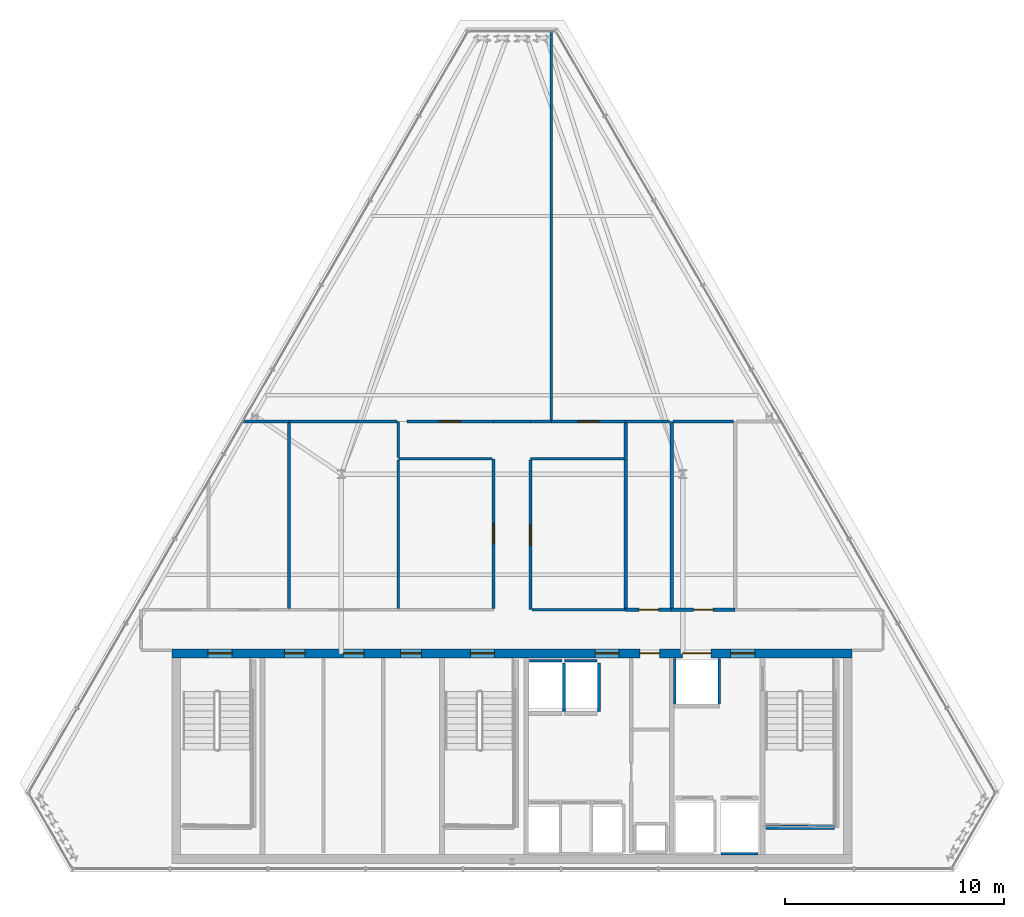
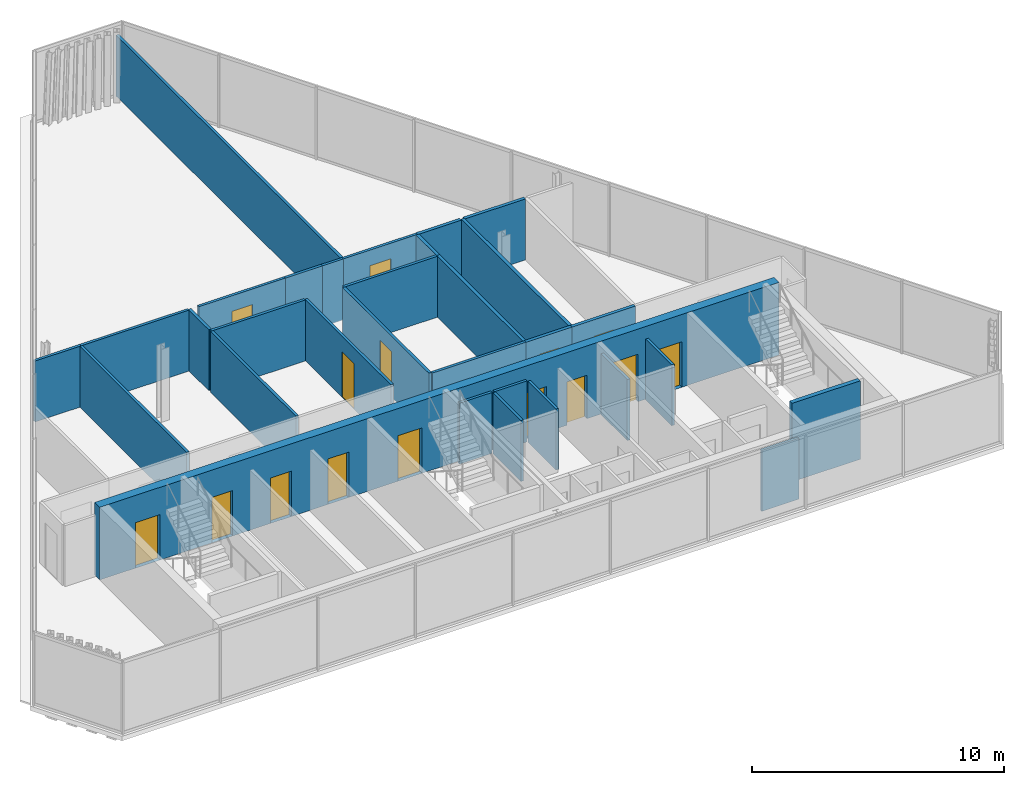
# One storey, part 28 of 32: 31 walls, 15 doors, 15 openings.
"""IFC4 building model written with IfcOpenShell, lengths in metres."""

from ifc_helpers import new_model, si_unit, direction, frame, frame_2d, origin, place, context, subcontext, project, spatial, rectangle, extrude, material, layer, layer_set, type_object, element, fill, save


model = new_model("IFC4")

# Units and contexts
model_context = context("Model", 3, precision=1e-05, world=origin(), true_north=direction((0.0, 1.0)))
body_context = subcontext(model_context, "Body", "Model", "MODEL_VIEW")
ifc_project = project(units=[si_unit("LENGTHUNIT", "METRE"), si_unit("AREAUNIT", "SQUARE_METRE"), si_unit("VOLUMEUNIT", "CUBIC_METRE"), si_unit("PLANEANGLEUNIT", "RADIAN"), si_unit("MASSUNIT", "GRAM", prefix="KILO")], contexts=[model_context])

# Site, building, storey
site_placement = place(None, origin())
site = spatial("IfcSite", under=ifc_project, at=site_placement, CompositionType="ELEMENT")
building_placement = place(site_placement, origin())
building = spatial("IfcBuilding", under=site, at=building_placement, Name="Ndaravel Arena Tower", CompositionType="ELEMENT")
storey_placement = place(building_placement, frame((0.0, 0.0, 294.699951171875)))
storey = spatial("IfcBuildingStorey", under=building, at=storey_placement, Name="L72", CompositionType="ELEMENT", Elevation=294.699951171875)

# Wall, openings, doors
ifc_material_1 = material(Name="Concrete C50/60", Category="concrete")
ifc_layer_1 = layer(ifc_material_1, 0.39990234375)
ifc_layer_set_1 = layer_set([ifc_layer_1], Name="Concrete C50/60")
wall_type_1 = type_object("IfcWallType", Name="WALL-CORE-400", PredefinedType="SOLIDWALL", material=ifc_layer_set_1)
wall_1_placement = place(storey_placement, frame((26.449951171875, 15.0, 0.0), z_axis=(0.0, 0.0, 1.0), x_axis=(1.0, 0.0, 0.0)))
wall_1 = element("IfcWall", 1, at=wall_1_placement, inside=storey, type_object=wall_type_1, Name="L72 Core North Shear Wall", PredefinedType="SOLIDWALL", context=body_context, shape_type="SweptSolid", body=[
    extrude(rectangle(XDim=31.10009765625, YDim=0.39990234375, at=frame_2d((15.550048828125, 0.0))), origin(), (0.0, 0.0, 1.0), 3.52001953125),
])
opening_1_placement = place(wall_1_placement, frame((1.64990234375, 0.0, 0.0)))
opening_1 = element("IfcOpeningElement", 2, at=opening_1_placement, cuts=wall_1, Name="Opening FD-01", PredefinedType="OPENING", context=body_context, shape_type="SweptSolid", body=[
    extrude(rectangle(XDim=1.10009765625, YDim=2.199951171875, at=frame_2d((0.550048828125, 1.10009765625))), frame((0.0, 0.199951171875, 0.0), z_axis=(0.0, -1.0, 0.0), x_axis=(1.0, 0.0, 0.0)), (0.0, 0.0, 1.0), 0.39990234375),
])
opening_2_placement = place(wall_1_placement, frame((13.64990234375, 0.0, 0.0)))
opening_2 = element("IfcOpeningElement", 3, at=opening_2_placement, cuts=wall_1, Name="Opening FD-01", PredefinedType="OPENING", context=body_context, shape_type="SweptSolid", body=[
    extrude(rectangle(XDim=1.10009765625, YDim=2.199951171875, at=frame_2d((0.550048828125, 1.10009765625))), frame((0.0, 0.199951171875, 0.0), z_axis=(0.0, -1.0, 0.0), x_axis=(1.0, 0.0, 0.0)), (0.0, 0.0, 1.0), 0.39990234375),
])
opening_3_placement = place(wall_1_placement, frame((25.550048828125, 0.0, 0.0)))
opening_3 = element("IfcOpeningElement", 4, at=opening_3_placement, cuts=wall_1, Name="Opening FD-01", PredefinedType="OPENING", context=body_context, shape_type="SweptSolid", body=[
    extrude(rectangle(XDim=1.10009765625, YDim=2.199951171875, at=frame_2d((0.550048828125, 1.10009765625))), frame((0.0, 0.199951171875, 0.0), z_axis=(0.0, -1.0, 0.0), x_axis=(1.0, 0.0, 0.0)), (0.0, 0.0, 1.0), 0.39990234375),
])
opening_4_placement = place(wall_1_placement, frame((19.35009765625, 0.0, 0.0)))
opening_4 = element("IfcOpeningElement", 5, at=opening_4_placement, cuts=wall_1, Name="Opening FD-01", PredefinedType="OPENING", context=body_context, shape_type="SweptSolid", body=[
    extrude(rectangle(XDim=1.10009765625, YDim=2.199951171875, at=frame_2d((0.550048828125, 1.10009765625))), frame((0.0, 0.199951171875, 0.0), z_axis=(0.0, -1.0, 0.0), x_axis=(1.0, 0.0, 0.0)), (0.0, 0.0, 1.0), 0.39990234375),
])
opening_5_placement = place(wall_1_placement, frame((21.39990234375, 0.0, 0.0)))
opening_5 = element("IfcOpeningElement", 6, at=opening_5_placement, cuts=wall_1, Name="Opening RD-01", PredefinedType="OPENING", context=body_context, shape_type="SweptSolid", body=[
    extrude(rectangle(XDim=0.89990234375, YDim=2.10009765625, at=frame_2d((0.449951171875, 1.050048828125))), frame((0.0, 0.199951171875, 0.0), z_axis=(0.0, -1.0, 0.0), x_axis=(1.0, 0.0, 0.0)), (0.0, 0.0, 1.0), 0.39990234375),
])
opening_6_placement = place(wall_1_placement, frame((5.139892578125, 0.0, 0.0)))
opening_6 = element("IfcOpeningElement", 7, at=opening_6_placement, cuts=wall_1, Name="Opening FD-03", PredefinedType="OPENING", context=body_context, shape_type="SweptSolid", body=[
    extrude(rectangle(XDim=0.949951171875, YDim=2.199951171875, at=frame_2d((0.47509765625, 1.10009765625))), frame((0.0, 0.199951171875, 0.0), z_axis=(0.0, -1.0, 0.0), x_axis=(1.0, 0.0, 0.0)), (0.0, 0.0, 1.0), 0.39990234375),
])
opening_7_placement = place(wall_1_placement, frame((7.824951171875, 0.0, 0.0)))
opening_7 = element("IfcOpeningElement", 8, at=opening_7_placement, cuts=wall_1, Name="Opening FD-03", PredefinedType="OPENING", context=body_context, shape_type="SweptSolid", body=[
    extrude(rectangle(XDim=0.949951171875, YDim=2.199951171875, at=frame_2d((0.47509765625, 1.10009765625))), frame((0.0, 0.199951171875, 0.0), z_axis=(0.0, -1.0, 0.0), x_axis=(1.0, 0.0, 0.0)), (0.0, 0.0, 1.0), 0.39990234375),
])
opening_8_placement = place(wall_1_placement, frame((10.4599609375, 0.0, 0.0)))
opening_8 = element("IfcOpeningElement", 9, at=opening_8_placement, cuts=wall_1, Name="Opening FD-03", PredefinedType="OPENING", context=body_context, shape_type="SweptSolid", body=[
    extrude(rectangle(XDim=0.949951171875, YDim=2.199951171875, at=frame_2d((0.47509765625, 1.10009765625))), frame((0.0, 0.199951171875, 0.0), z_axis=(0.0, -1.0, 0.0), x_axis=(1.0, 0.0, 0.0)), (0.0, 0.0, 1.0), 0.39990234375),
])
opening_9_placement = place(wall_1_placement, frame((23.35009765625, 0.0, 0.0)))
opening_9 = element("IfcOpeningElement", 10, at=opening_9_placement, cuts=wall_1, Name="Opening LD-02", PredefinedType="OPENING", context=body_context, shape_type="SweptSolid", body=[
    extrude(rectangle(XDim=1.300048828125, YDim=2.300048828125, at=frame_2d((0.64990234375, 1.14990234375))), frame((0.0, 0.199951171875, 0.0), z_axis=(0.0, -1.0, 0.0), x_axis=(1.0, 0.0, 0.0)), (0.0, 0.0, 1.0), 0.39990234375),
])
ifc_material_2 = material(Name="Steel S355", Category="steel")
door_type_1 = type_object("IfcDoorType", Name="DT-01-STAIR-1100", OperationType="SINGLE_SWING_LEFT", PredefinedType="DOOR", material=ifc_material_2)
door_1_placement = place(opening_1_placement, origin())
door_1 = element("IfcDoor", 11, at=door_1_placement, inside=storey, type_object=door_type_1, Name="L72 Exit Stair ST-1 Door", OperationType="SINGLE_SWING_LEFT", OverallHeight=2.199951171875, OverallWidth=1.10009765625, PredefinedType="DOOR", context=body_context, shape_type="SweptSolid", body=[
    extrude(rectangle(XDim=1.10009765625, YDim=2.199951171875, at=frame_2d((0.550048828125, 1.10009765625))), frame((0.0, 0.02490234375, 0.0), z_axis=(0.0, -1.0, 0.0), x_axis=(1.0, 0.0, 0.0)), (0.0, 0.0, 1.0), 0.050048828125),
])
fill(opening_1, door_1)
door_2_placement = place(opening_2_placement, origin())
door_2 = element("IfcDoor", 12, at=door_2_placement, inside=storey, type_object=door_type_1, Name="L72 Exit Stair ST-2 Door", OperationType="SINGLE_SWING_RIGHT", OverallHeight=2.199951171875, OverallWidth=1.10009765625, PredefinedType="DOOR", context=body_context, shape_type="SweptSolid", body=[
    extrude(rectangle(XDim=1.10009765625, YDim=2.199951171875, at=frame_2d((0.550048828125, 1.10009765625))), frame((0.0, 0.02490234375, 0.0), z_axis=(0.0, -1.0, 0.0), x_axis=(1.0, 0.0, 0.0)), (0.0, 0.0, 1.0), 0.050048828125),
])
fill(opening_2, door_2)
door_3_placement = place(opening_3_placement, origin())
door_3 = element("IfcDoor", 13, at=door_3_placement, inside=storey, type_object=door_type_1, Name="L72 Firefighting Lift Lobby Door", OperationType="SINGLE_SWING_RIGHT", OverallHeight=2.199951171875, OverallWidth=1.10009765625, PredefinedType="DOOR", context=body_context, shape_type="SweptSolid", body=[
    extrude(rectangle(XDim=1.10009765625, YDim=2.199951171875, at=frame_2d((0.550048828125, 1.10009765625))), frame((0.0, 0.02490234375, 0.0), z_axis=(0.0, -1.0, 0.0), x_axis=(1.0, 0.0, 0.0)), (0.0, 0.0, 1.0), 0.050048828125),
])
fill(opening_3, door_3)
door_4_placement = place(opening_4_placement, origin())
door_4 = element("IfcDoor", 14, at=door_4_placement, inside=storey, type_object=door_type_1, Name="L72 Express Lift Lobby Entry Door", OperationType="SINGLE_SWING_LEFT", OverallHeight=2.199951171875, OverallWidth=1.10009765625, PredefinedType="DOOR", context=body_context, shape_type="SweptSolid", body=[
    extrude(rectangle(XDim=1.10009765625, YDim=2.199951171875, at=frame_2d((0.550048828125, 1.10009765625))), frame((0.0, 0.02490234375, 0.0), z_axis=(0.0, -1.0, 0.0), x_axis=(1.0, 0.0, 0.0)), (0.0, 0.0, 1.0), 0.050048828125),
])
fill(opening_4, door_4)
ifc_material_3 = material(Name="Steel S355", Category="steel")
door_type_2 = type_object("IfcDoorType", Name="DT-07-SVLIFT-1300", OperationType="DOUBLE_DOOR_SLIDING", PredefinedType="DOOR", material=ifc_material_3)
door_5_placement = place(opening_9_placement, origin())
door_5 = element("IfcDoor", 15, at=door_5_placement, inside=storey, type_object=door_type_2, Name="L72 Lift SVL-1 Sliding Landing Door", OperationType="DOUBLE_DOOR_SLIDING", OverallHeight=2.300048828125, OverallWidth=1.300048828125, PredefinedType="DOOR", context=body_context, shape_type="SweptSolid", body=[
    extrude(rectangle(XDim=1.300048828125, YDim=2.300048828125, at=frame_2d((0.64990234375, 1.14990234375))), frame((0.0, 0.02490234375, 0.0), z_axis=(0.0, -1.0, 0.0), x_axis=(1.0, 0.0, 0.0)), (0.0, 0.0, 1.0), 0.050048828125),
])
fill(opening_9, door_5)
ifc_material_4 = material(Name="Steel S355", Category="steel")
door_type_3 = type_object("IfcDoorType", Name="DT-08-RISER-900", OperationType="SINGLE_SWING_LEFT", PredefinedType="DOOR", material=ifc_material_4)
door_6_placement = place(opening_5_placement, origin())
door_6 = element("IfcDoor", 16, at=door_6_placement, inside=storey, type_object=door_type_3, Name="L72 Core Service Riser North Door", OperationType="SINGLE_SWING_LEFT", OverallHeight=2.10009765625, OverallWidth=0.89990234375, PredefinedType="DOOR", context=body_context, shape_type="SweptSolid", body=[
    extrude(rectangle(XDim=0.89990234375, YDim=2.10009765625, at=frame_2d((0.449951171875, 1.050048828125))), frame((0.0, 0.02490234375, 0.0), z_axis=(0.0, -1.0, 0.0), x_axis=(1.0, 0.0, 0.0)), (0.0, 0.0, 1.0), 0.050048828125),
])
fill(opening_5, door_6)
ifc_material_5 = material(Name="Steel S355", Category="steel")
door_type_4 = type_object("IfcDoorType", Name="DT-11-CORE-950", OperationType="SINGLE_SWING_LEFT", PredefinedType="DOOR", material=ifc_material_5)
door_7_placement = place(opening_6_placement, origin())
door_7 = element("IfcDoor", 17, at=door_7_placement, inside=storey, type_object=door_type_4, Name="L72 High-Zone Reclaimed Core Room 1 Door", OperationType="SINGLE_SWING_LEFT", OverallHeight=2.199951171875, OverallWidth=0.949951171875, PredefinedType="DOOR", context=body_context, shape_type="SweptSolid", body=[
    extrude(rectangle(XDim=0.949951171875, YDim=2.199951171875, at=frame_2d((0.47509765625, 1.10009765625))), frame((0.0, 0.02490234375, 0.0), z_axis=(0.0, -1.0, 0.0), x_axis=(1.0, 0.0, 0.0)), (0.0, 0.0, 1.0), 0.050048828125),
])
fill(opening_6, door_7)
door_8_placement = place(opening_7_placement, origin())
door_8 = element("IfcDoor", 18, at=door_8_placement, inside=storey, type_object=door_type_4, Name="L72 High-Zone Reclaimed Core Room 2 Door", OperationType="SINGLE_SWING_RIGHT", OverallHeight=2.199951171875, OverallWidth=0.949951171875, PredefinedType="DOOR", context=body_context, shape_type="SweptSolid", body=[
    extrude(rectangle(XDim=0.949951171875, YDim=2.199951171875, at=frame_2d((0.47509765625, 1.10009765625))), frame((0.0, 0.02490234375, 0.0), z_axis=(0.0, -1.0, 0.0), x_axis=(1.0, 0.0, 0.0)), (0.0, 0.0, 1.0), 0.050048828125),
])
fill(opening_7, door_8)
door_9_placement = place(opening_8_placement, origin())
door_9 = element("IfcDoor", 19, at=door_9_placement, inside=storey, type_object=door_type_4, Name="L72 High-Zone Reclaimed Core Room 3 Door", OperationType="SINGLE_SWING_LEFT", OverallHeight=2.199951171875, OverallWidth=0.949951171875, PredefinedType="DOOR", context=body_context, shape_type="SweptSolid", body=[
    extrude(rectangle(XDim=0.949951171875, YDim=2.199951171875, at=frame_2d((0.47509765625, 1.10009765625))), frame((0.0, 0.02490234375, 0.0), z_axis=(0.0, -1.0, 0.0), x_axis=(1.0, 0.0, 0.0)), (0.0, 0.0, 1.0), 0.050048828125),
])
fill(opening_8, door_9)

# Wall, opening, door
ifc_material_6 = material(Name="Gypsum", Category="gypsum")
ifc_layer_2 = layer(ifc_material_6, 0.125)
ifc_layer_set_2 = layer_set([ifc_layer_2], Name="Gypsum")
wall_type_2 = type_object("IfcWallType", Name="WALL-PART-125", PredefinedType="PARTITIONING", material=ifc_layer_set_2)
wall_2_placement = place(storey_placement, frame((41.14990234375, 17.06494140625, 0.0), z_axis=(0.0, 0.0, 1.0), x_axis=(0.0, 1.0, 0.0)))
wall_2 = element("IfcWall", 20, at=wall_2_placement, inside=storey, type_object=wall_type_2, Name="L72 Interior Partition 009", PredefinedType="PARTITIONING", context=body_context, shape_type="SweptSolid", body=[
    extrude(rectangle(XDim=6.8349609375, YDim=0.125, at=frame_2d((3.41748046875, 0.0))), origin(), (0.0, 0.0, 1.0), 2.950439453125),
])
opening_10_placement = place(wall_2_placement, frame((2.9423828125, 0.0, 0.0)))
opening_10 = element("IfcOpeningElement", 21, at=opening_10_placement, cuts=wall_2, Name="Opening ID-01", PredefinedType="OPENING", context=body_context, shape_type="SweptSolid", body=[
    extrude(rectangle(XDim=0.949951171875, YDim=2.199951171875, at=frame_2d((0.47509765625, 1.10009765625))), frame((0.0, 0.0625, 0.0), z_axis=(0.0, -1.0, 0.0), x_axis=(1.0, 0.0, 0.0)), (0.0, 0.0, 1.0), 0.125),
])
ifc_material_7 = material(Name="Timber", Category="wood")
door_type_5 = type_object("IfcDoorType", Name="DT-03-OFFICE-950", OperationType="SINGLE_SWING_LEFT", PredefinedType="DOOR", material=ifc_material_7)
door_10_placement = place(opening_10_placement, origin())
door_10 = element("IfcDoor", 22, at=door_10_placement, inside=storey, type_object=door_type_5, Name="L72 Design Bookshop Boutique Door", OperationType="SINGLE_SWING_RIGHT", OverallHeight=2.199951171875, OverallWidth=0.949951171875, PredefinedType="DOOR", context=body_context, shape_type="SweptSolid", body=[
    extrude(rectangle(XDim=0.949951171875, YDim=2.199951171875, at=frame_2d((0.47509765625, 1.10009765625))), frame((0.0, 0.02490234375, 0.0), z_axis=(0.0, -1.0, 0.0), x_axis=(1.0, 0.0, 0.0)), (0.0, 0.0, 1.0), 0.050048828125),
])
fill(opening_10, door_10)

# Walls
wall_3_placement = place(storey_placement, frame((41.0849609375, 23.89990234375, 0.0), z_axis=(0.0, 0.0, 1.0), x_axis=(-1.0, 0.0, 0.0)))
element("IfcWall", 23, at=wall_3_placement, inside=storey, type_object=wall_type_2, Name="L72 Interior Partition 010", PredefinedType="PARTITIONING", context=body_context, shape_type="SweptSolid", body=[
    extrude(rectangle(XDim=4.284912109375, YDim=0.125, at=frame_2d((2.142578125, 0.0))), origin(), (0.0, 0.0, 1.0), 2.950439453125),
])
wall_4_placement = place(storey_placement, frame((36.800048828125, 23.965087890625, 0.0), z_axis=(0.0, 0.0, 1.0), x_axis=(0.0, 1.0, 0.0)))
element("IfcWall", 24, at=wall_4_placement, inside=storey, type_object=wall_type_2, Name="L72 Interior Partition 011", PredefinedType="PARTITIONING", context=body_context, shape_type="SweptSolid", body=[
    extrude(rectangle(XDim=1.635009765625, YDim=0.125, at=frame_2d((0.8173828125, 0.0))), origin(), (0.0, 0.0, 1.0), 2.950439453125),
])

# Wall, opening, door
wall_5_placement = place(storey_placement, frame((37.199951171875, 25.60009765625, 0.0), z_axis=(0.0, 0.0, 1.0), x_axis=(1.0, 0.0, 0.0)))
wall_5 = element("IfcWall", 25, at=wall_5_placement, inside=storey, type_object=wall_type_2, Name="L72 Interior Partition 012", PredefinedType="PARTITIONING", context=body_context, shape_type="SweptSolid", body=[
    extrude(rectangle(XDim=3.949951171875, YDim=0.125, at=frame_2d((1.97509765625, 0.0))), origin(), (0.0, 0.0, 1.0), 2.950439453125),
])
opening_11_placement = place(wall_5_placement, frame((1.5, 0.0, 0.0)))
opening_11 = element("IfcOpeningElement", 26, at=opening_11_placement, cuts=wall_5, Name="Opening ID-01", PredefinedType="OPENING", context=body_context, shape_type="SweptSolid", body=[
    extrude(rectangle(XDim=0.949951171875, YDim=2.199951171875, at=frame_2d((0.47509765625, 1.10009765625))), frame((0.0, 0.0625, 0.0), z_axis=(0.0, -1.0, 0.0), x_axis=(1.0, 0.0, 0.0)), (0.0, 0.0, 1.0), 0.125),
])
door_11_placement = place(opening_11_placement, origin())
door_11 = element("IfcDoor", 27, at=door_11_placement, inside=storey, type_object=door_type_5, Name="L72 Client Concierge Parlour 4 Door", OperationType="SINGLE_SWING_RIGHT", OverallHeight=2.199951171875, OverallWidth=0.949951171875, PredefinedType="DOOR", context=body_context, shape_type="SweptSolid", body=[
    extrude(rectangle(XDim=0.949951171875, YDim=2.199951171875, at=frame_2d((0.47509765625, 1.10009765625))), frame((0.0, 0.02490234375, 0.0), z_axis=(0.0, -1.0, 0.0), x_axis=(1.0, 0.0, 0.0)), (0.0, 0.0, 1.0), 0.050048828125),
])
fill(opening_11, door_11)

# Walls
wall_6_placement = place(storey_placement, frame((41.14990234375, 25.60009765625, 0.0), z_axis=(0.0, 0.0, 1.0), x_axis=(1.0, 0.0, 0.0)))
element("IfcWall", 28, at=wall_6_placement, inside=storey, type_object=wall_type_2, Name="L72 Interior Partition 013", PredefinedType="PARTITIONING", context=body_context, shape_type="SweptSolid", body=[
    extrude(rectangle(XDim=1.7001953125, YDim=0.125, at=frame_2d((0.85009765625, 0.0))), origin(), (0.0, 0.0, 1.0), 2.950439453125),
])
wall_7_placement = place(storey_placement, frame((42.85009765625, 25.60009765625, 0.0), z_axis=(0.0, 0.0, 1.0), x_axis=(1.0, 0.0, 0.0)))
element("IfcWall", 29, at=wall_7_placement, inside=storey, type_object=wall_type_2, Name="L72 Interior Partition 014", PredefinedType="PARTITIONING", context=body_context, shape_type="SweptSolid", body=[
    extrude(rectangle(XDim=0.949951171875, YDim=0.125, at=frame_2d((0.47509765625, 0.0))), origin(), (0.0, 0.0, 1.0), 2.950439453125),
])

# Wall, opening, door
wall_8_placement = place(storey_placement, frame((43.800048828125, 25.60009765625, 0.0), z_axis=(0.0, 0.0, 1.0), x_axis=(1.0, 0.0, 0.0)))
wall_8 = element("IfcWall", 30, at=wall_8_placement, inside=storey, type_object=wall_type_2, Name="L72 Interior Partition 015", PredefinedType="PARTITIONING", context=body_context, shape_type="SweptSolid", body=[
    extrude(rectangle(XDim=3.39990234375, YDim=0.125, at=frame_2d((1.699951171875, 0.0))), origin(), (0.0, 0.0, 1.0), 2.950439453125),
])
opening_12_placement = place(wall_8_placement, frame((1.22509765625, 0.0, 0.0)))
opening_12 = element("IfcOpeningElement", 31, at=opening_12_placement, cuts=wall_8, Name="Opening ID-01", PredefinedType="OPENING", context=body_context, shape_type="SweptSolid", body=[
    extrude(rectangle(XDim=0.949951171875, YDim=2.199951171875, at=frame_2d((0.47509765625, 1.10009765625))), frame((0.0, 0.0625, 0.0), z_axis=(0.0, -1.0, 0.0), x_axis=(1.0, 0.0, 0.0)), (0.0, 0.0, 1.0), 0.125),
])
door_12_placement = place(opening_12_placement, origin())
door_12 = element("IfcDoor", 32, at=door_12_placement, inside=storey, type_object=door_type_5, Name="L72 Design Workshop 4 Door", OperationType="SINGLE_SWING_LEFT", OverallHeight=2.199951171875, OverallWidth=0.949951171875, PredefinedType="DOOR", context=body_context, shape_type="SweptSolid", body=[
    extrude(rectangle(XDim=0.949951171875, YDim=2.199951171875, at=frame_2d((0.47509765625, 1.10009765625))), frame((0.0, 0.02490234375, 0.0), z_axis=(0.0, -1.0, 0.0), x_axis=(1.0, 0.0, 0.0)), (0.0, 0.0, 1.0), 0.050048828125),
])
fill(opening_12, door_12)

# Wall
wall_9_placement = place(storey_placement, frame((47.135009765625, 23.89990234375, 0.0), z_axis=(0.0, 0.0, 1.0), x_axis=(-1.0, 0.0, 0.0)))
element("IfcWall", 33, at=wall_9_placement, inside=storey, type_object=wall_type_2, Name="L72 Interior Partition 017", PredefinedType="PARTITIONING", context=body_context, shape_type="SweptSolid", body=[
    extrude(rectangle(XDim=4.284912109375, YDim=0.125, at=frame_2d((2.142578125, 0.0))), origin(), (0.0, 0.0, 1.0), 2.950439453125),
])

# Wall, opening, door
wall_10_placement = place(storey_placement, frame((42.85009765625, 23.8349609375, 0.0), z_axis=(0.0, 0.0, 1.0), x_axis=(0.0, -1.0, 0.0)))
wall_10 = element("IfcWall", 34, at=wall_10_placement, inside=storey, type_object=wall_type_2, Name="L72 Interior Partition 018", PredefinedType="PARTITIONING", context=body_context, shape_type="SweptSolid", body=[
    extrude(rectangle(XDim=6.8349609375, YDim=0.125, at=frame_2d((3.41748046875, 0.0))), origin(), (0.0, 0.0, 1.0), 2.950439453125),
])
opening_13_placement = place(wall_10_placement, frame((2.9423828125, 0.0, 0.0)))
opening_13 = element("IfcOpeningElement", 35, at=opening_13_placement, cuts=wall_10, Name="Opening ID-01", PredefinedType="OPENING", context=body_context, shape_type="SweptSolid", body=[
    extrude(rectangle(XDim=0.949951171875, YDim=2.199951171875, at=frame_2d((0.47509765625, 1.10009765625))), frame((0.0, 0.0625, 0.0), z_axis=(0.0, -1.0, 0.0), x_axis=(1.0, 0.0, 0.0)), (0.0, 0.0, 1.0), 0.125),
])
door_13_placement = place(opening_13_placement, origin())
door_13 = element("IfcDoor", 36, at=door_13_placement, inside=storey, type_object=door_type_5, Name="L72 Wellness Fitness Gym 2 Door", OperationType="SINGLE_SWING_LEFT", OverallHeight=2.199951171875, OverallWidth=0.949951171875, PredefinedType="DOOR", context=body_context, shape_type="SweptSolid", body=[
    extrude(rectangle(XDim=0.949951171875, YDim=2.199951171875, at=frame_2d((0.47509765625, 1.10009765625))), frame((0.0, 0.02490234375, 0.0), z_axis=(0.0, -1.0, 0.0), x_axis=(1.0, 0.0, 0.0)), (0.0, 0.0, 1.0), 0.050048828125),
])
fill(opening_13, door_13)

# Walls
wall_11_placement = place(storey_placement, frame((42.9150390625, 17.0, 0.0), z_axis=(0.0, 0.0, 1.0), x_axis=(1.0, 0.0, 0.0)))
element("IfcWall", 37, at=wall_11_placement, inside=storey, type_object=wall_type_2, Name="L72 Interior Partition 019", PredefinedType="PARTITIONING", context=body_context, shape_type="SweptSolid", body=[
    extrude(rectangle(XDim=4.284912109375, YDim=0.125, at=frame_2d((2.142578125, 0.0))), origin(), (0.0, 0.0, 1.0), 2.950439453125),
])
wall_12_placement = place(storey_placement, frame((36.800048828125, 17.06494140625, 0.0), z_axis=(0.0, 0.0, 1.0), x_axis=(0.0, 1.0, 0.0)))
element("IfcWall", 38, at=wall_12_placement, inside=storey, type_object=wall_type_2, Name="L72 Interior Partition 024", PredefinedType="PARTITIONING", context=body_context, shape_type="SweptSolid", body=[
    extrude(rectangle(XDim=6.77001953125, YDim=0.125, at=frame_2d((3.385009765625, 0.0))), origin(), (0.0, 0.0, 1.0), 2.950439453125),
])
wall_13_placement = place(storey_placement, frame((29.690185546875, 25.60009765625, 0.0), z_axis=(0.0, 0.0, 1.0), x_axis=(1.0, 0.0, 0.0)))
element("IfcWall", 39, at=wall_13_placement, inside=storey, type_object=wall_type_2, Name="L72 Interior Partition 028", PredefinedType="PARTITIONING", context=body_context, shape_type="SweptSolid", body=[
    extrude(rectangle(XDim=2.10986328125, YDim=0.125, at=frame_2d((1.054931640625, 0.0))), origin(), (0.0, 0.0, 1.0), 2.950439453125),
])
wall_14_placement = place(storey_placement, frame((31.800048828125, 25.534912109375, 0.0), z_axis=(0.0, 0.0, 1.0), x_axis=(0.0, -1.0, 0.0)))
element("IfcWall", 40, at=wall_14_placement, inside=storey, type_object=wall_type_2, Name="L72 Interior Partition 029", PredefinedType="PARTITIONING", context=body_context, shape_type="SweptSolid", body=[
    extrude(rectangle(XDim=8.469970703125, YDim=0.125, at=frame_2d((4.23486328125, 0.0))), origin(), (0.0, 0.0, 1.0), 2.950439453125),
])
wall_15_placement = place(storey_placement, frame((31.800048828125, 25.60009765625, 0.0), z_axis=(0.0, 0.0, 1.0), x_axis=(1.0, 0.0, 0.0)))
element("IfcWall", 41, at=wall_15_placement, inside=storey, type_object=wall_type_2, Name="L72 Interior Partition 030", PredefinedType="PARTITIONING", context=body_context, shape_type="SweptSolid", body=[
    extrude(rectangle(XDim=4.93505859375, YDim=0.125, at=frame_2d((2.467529296875, 0.0))), origin(), (0.0, 0.0, 1.0), 2.950439453125),
])
wall_16_placement = place(storey_placement, frame((43.800048828125, 25.6650390625, 0.0), z_axis=(0.0, 0.0, 1.0), x_axis=(0.0, 1.0, 0.0)))
element("IfcWall", 42, at=wall_16_placement, inside=storey, type_object=wall_type_2, Name="L72 Interior Partition 034", PredefinedType="PARTITIONING", context=body_context, shape_type="SweptSolid", body=[
    extrude(rectangle(XDim=17.780517578125, YDim=0.125, at=frame_2d((8.89013671875, 0.0))), origin(), (0.0, 0.0, 1.0), 2.950439453125),
])
ifc_material_8 = material(Name="Concrete C40/50", Category="concrete")
ifc_layer_3 = layer(ifc_material_8, 0.1201171875)
ifc_layer_set_3 = layer_set([ifc_layer_3], Name="Concrete C40/50")
wall_type_3 = type_object("IfcWallType", Name="WALL-SHAFT-120", PredefinedType="SOLIDWALL", material=ifc_layer_set_3)
wall_17_placement = place(storey_placement, frame((42.804931640625, 14.659912109375, 0.0), z_axis=(0.0, 0.0, 1.0), x_axis=(1.0, 0.0, 0.0)))
element("IfcWall", 43, at=wall_17_placement, inside=storey, type_object=wall_type_3, Name="L72 PL-OBS1 Shaft Rear Wall", PredefinedType="SOLIDWALL", context=body_context, shape_type="SweptSolid", body=[
    extrude(rectangle(XDim=1.489990234375, YDim=0.1201171875, at=frame_2d((0.7451171875, 0.0))), origin(), (0.0, 0.0, 1.0), 2.950439453125),
])
wall_18_placement = place(storey_placement, frame((44.375, 12.340087890625, 0.0), z_axis=(0.0, 0.0, 1.0), x_axis=(0.0, 1.0, 0.0)))
element("IfcWall", 44, at=wall_18_placement, inside=storey, type_object=wall_type_3, Name="L72 PL-OBS1 Shaft Side R Wall", PredefinedType="SOLIDWALL", context=body_context, shape_type="SweptSolid", body=[
    extrude(rectangle(XDim=2.22998046875, YDim=0.1201171875, at=frame_2d((1.114990234375, 0.0))), origin(), (0.0, 0.0, 1.0), 2.950439453125),
])
wall_19_placement = place(storey_placement, frame((44.405029296875, 14.659912109375, 0.0), z_axis=(0.0, 0.0, 1.0), x_axis=(1.0, 0.0, 0.0)))
element("IfcWall", 45, at=wall_19_placement, inside=storey, type_object=wall_type_3, Name="L72 PL-OBS2 Shaft Rear Wall", PredefinedType="SOLIDWALL", context=body_context, shape_type="SweptSolid", body=[
    extrude(rectangle(XDim=1.489990234375, YDim=0.1201171875, at=frame_2d((0.7451171875, 0.0))), origin(), (0.0, 0.0, 1.0), 2.950439453125),
])
wall_20_placement = place(storey_placement, frame((45.97509765625, 12.340087890625, 0.0), z_axis=(0.0, 0.0, 1.0), x_axis=(0.0, 1.0, 0.0)))
element("IfcWall", 46, at=wall_20_placement, inside=storey, type_object=wall_type_3, Name="L72 PL-OBS2 Shaft Side R Wall", PredefinedType="SOLIDWALL", context=body_context, shape_type="SweptSolid", body=[
    extrude(rectangle(XDim=2.22998046875, YDim=0.1201171875, at=frame_2d((1.114990234375, 0.0))), origin(), (0.0, 0.0, 1.0), 2.950439453125),
])
wall_21_placement = place(storey_placement, frame((51.554931640625, 5.840087890625, 0.0), z_axis=(0.0, 0.0, 1.0), x_axis=(1.0, 0.0, 0.0)))
element("IfcWall", 47, at=wall_21_placement, inside=storey, type_object=wall_type_3, Name="L72 FFL-2 Shaft Rear Wall", PredefinedType="SOLIDWALL", context=body_context, shape_type="SweptSolid", body=[
    extrude(rectangle(XDim=1.690185546875, YDim=0.1201171875, at=frame_2d((0.84521484375, 0.0))), origin(), (0.0, 0.0, 1.0), 2.950439453125),
])
for number, where, z_axis, x_axis, name in (
    (48, (49.43994140625, 12.68994140625, 0.0), (0.0, 0.0, 1.0), (0.0, 1.0, 0.0), "L72 SVL-1 Shaft W Wall"),
    (49, (51.47998046875, 12.68994140625, 0.0), (0.0, 0.0, 1.0), (0.0, 1.0, 0.0), "L72 SVL-1 Shaft E Wall"),
):
    element("IfcWall", number, at=place(storey_placement, frame(where, z_axis=z_axis, x_axis=x_axis)), inside=storey, type_object=wall_type_3, Name=name, PredefinedType="SOLIDWALL", context=body_context, shape_type="SweptSolid", body=[
        extrude(rectangle(XDim=2.070068359375, YDim=0.1201171875, at=frame_2d((1.03515625, 0.0))), origin(), (0.0, 0.0, 1.0), 2.950439453125),
    ])
ifc_material_9 = material(Name="Concrete C40/50", Category="concrete")
ifc_layer_4 = layer(ifc_material_9, 0.199951171875)
ifc_layer_set_4 = layer_set([ifc_layer_4], Name="Concrete C40/50")
wall_type_4 = type_object("IfcWallType", Name="WALL-SHAFT-200", PredefinedType="SOLIDWALL", material=ifc_layer_set_4)
wall_22_placement = place(storey_placement, frame((53.6201171875, 7.050048828125, 0.0), z_axis=(0.0, 0.0, 1.0), x_axis=(1.0, 0.0, 0.0)))
element("IfcWall", 50, at=wall_22_placement, inside=storey, type_object=wall_type_4, Name="L72 ST-3 Structural Shaft Wall Far", PredefinedType="SOLIDWALL", context=body_context, shape_type="SweptSolid", body=[
    extrude(rectangle(XDim=3.114990234375, YDim=0.199951171875, at=frame_2d((1.5576171875, 0.0))), origin(), (0.0, 0.0, 1.0), 3.800048828125),
])
ifc_material_10 = material(Name="Masonry", Category="masonry")
ifc_layer_5 = layer(ifc_material_10, 0.14990234375)
ifc_layer_set_5 = layer_set([ifc_layer_5], Name="Masonry")
wall_type_5 = type_object("IfcWallType", Name="WALL-WET-150", PredefinedType="PARTITIONING", material=ifc_layer_set_5)
wall_23_placement = place(storey_placement, frame((47.199951171875, 25.534912109375, 0.0), z_axis=(0.0, 0.0, 1.0), x_axis=(0.0, -1.0, 0.0)))
element("IfcWall", 51, at=wall_23_placement, inside=storey, type_object=wall_type_5, Name="L72 Interior Partition 016", PredefinedType="PARTITIONING", context=body_context, shape_type="SweptSolid", body=[
    extrude(rectangle(XDim=1.635009765625, YDim=0.14990234375, at=frame_2d((0.8173828125, 0.0))), origin(), (0.0, 0.0, 1.0), 2.950439453125),
])

# Wall, opening, door
wall_24_placement = place(storey_placement, frame((47.199951171875, 17.0, 0.0), z_axis=(0.0, 0.0, 1.0), x_axis=(1.0, 0.0, 0.0)))
wall_24 = element("IfcWall", 52, at=wall_24_placement, inside=storey, type_object=wall_type_5, Name="L72 Interior Partition 020", PredefinedType="PARTITIONING", context=body_context, shape_type="SweptSolid", body=[
    extrude(rectangle(XDim=2.10009765625, YDim=0.14990234375, at=frame_2d((1.050048828125, 0.0))), origin(), (0.0, 0.0, 1.0), 2.950439453125),
])
opening_14_placement = place(wall_24_placement, frame((0.60009765625, 0.0, 0.0)))
opening_14 = element("IfcOpeningElement", 53, at=opening_14_placement, cuts=wall_24, Name="Opening WD-01", PredefinedType="OPENING", context=body_context, shape_type="SweptSolid", body=[
    extrude(rectangle(XDim=0.89990234375, YDim=2.14990234375, at=frame_2d((0.449951171875, 1.074951171875))), frame((0.0, 0.074951171875, 0.0), z_axis=(0.0, -1.0, 0.0), x_axis=(1.0, 0.0, 0.0)), (0.0, 0.0, 1.0), 0.14990234375),
])
ifc_material_11 = material(Name="Timber", Category="wood")
door_type_6 = type_object("IfcDoorType", Name="DT-05-WC-900", OperationType="SINGLE_SWING_LEFT", PredefinedType="DOOR", material=ifc_material_11)
door_14_placement = place(opening_14_placement, origin())
door_14 = element("IfcDoor", 54, at=door_14_placement, inside=storey, type_object=door_type_6, Name="L72 Male Staff & Visitor Restroom Door", OperationType="SINGLE_SWING_LEFT", OverallHeight=2.14990234375, OverallWidth=0.89990234375, PredefinedType="DOOR", context=body_context, shape_type="SweptSolid", body=[
    extrude(rectangle(XDim=0.89990234375, YDim=2.14990234375, at=frame_2d((0.449951171875, 1.074951171875))), frame((0.0, 0.02490234375, 0.0), z_axis=(0.0, -1.0, 0.0), x_axis=(1.0, 0.0, 0.0)), (0.0, 0.0, 1.0), 0.050048828125),
])
fill(opening_14, door_14)

wall_25_placement = place(storey_placement, frame((49.300048828125, 17.0, 0.0), z_axis=(0.0, 0.0, 1.0), x_axis=(1.0, 0.0, 0.0)))
wall_25 = element("IfcWall", 55, at=wall_25_placement, inside=storey, type_object=wall_type_5, Name="L72 Interior Partition 021", PredefinedType="PARTITIONING", context=body_context, shape_type="SweptSolid", body=[
    extrude(rectangle(XDim=2.89990234375, YDim=0.14990234375, at=frame_2d((1.449951171875, 0.0))), origin(), (0.0, 0.0, 1.0), 2.950439453125),
])
opening_15_placement = place(wall_25_placement, frame((1.0, 0.0, 0.0)))
opening_15 = element("IfcOpeningElement", 56, at=opening_15_placement, cuts=wall_25, Name="Opening WD-01", PredefinedType="OPENING", context=body_context, shape_type="SweptSolid", body=[
    extrude(rectangle(XDim=0.89990234375, YDim=2.14990234375, at=frame_2d((0.449951171875, 1.074951171875))), frame((0.0, 0.074951171875, 0.0), z_axis=(0.0, -1.0, 0.0), x_axis=(1.0, 0.0, 0.0)), (0.0, 0.0, 1.0), 0.14990234375),
])
door_15_placement = place(opening_15_placement, origin())
door_15 = element("IfcDoor", 57, at=door_15_placement, inside=storey, type_object=door_type_6, Name="L72 Female & Accessible Restroom Door", OperationType="SINGLE_SWING_RIGHT", OverallHeight=2.14990234375, OverallWidth=0.89990234375, PredefinedType="DOOR", context=body_context, shape_type="SweptSolid", body=[
    extrude(rectangle(XDim=0.89990234375, YDim=2.14990234375, at=frame_2d((0.449951171875, 1.074951171875))), frame((0.0, 0.02490234375, 0.0), z_axis=(0.0, -1.0, 0.0), x_axis=(1.0, 0.0, 0.0)), (0.0, 0.0, 1.0), 0.050048828125),
])
fill(opening_15, door_15)

# Walls
wall_26_placement = place(storey_placement, frame((47.199951171875, 23.89990234375, 0.0), z_axis=(0.0, 0.0, 1.0), x_axis=(0.0, -1.0, 0.0)))
element("IfcWall", 58, at=wall_26_placement, inside=storey, type_object=wall_type_5, Name="L72 Interior Partition 025", PredefinedType="PARTITIONING", context=body_context, shape_type="SweptSolid", body=[
    extrude(rectangle(XDim=6.8349609375, YDim=0.14990234375, at=frame_2d((3.41748046875, 0.0))), origin(), (0.0, 0.0, 1.0), 2.950439453125),
])
wall_27_placement = place(storey_placement, frame((47.199951171875, 25.60009765625, 0.0), z_axis=(0.0, 0.0, 1.0), x_axis=(1.0, 0.0, 0.0)))
element("IfcWall", 59, at=wall_27_placement, inside=storey, type_object=wall_type_5, Name="L72 Interior Partition 031", PredefinedType="PARTITIONING", context=body_context, shape_type="SweptSolid", body=[
    extrude(rectangle(XDim=2.0, YDim=0.14990234375, at=frame_2d((1.0, 0.0))), origin(), (0.0, 0.0, 1.0), 2.950439453125),
])
wall_28_placement = place(storey_placement, frame((49.300048828125, 25.60009765625, 0.0), z_axis=(0.0, 0.0, 1.0), x_axis=(0.0, -1.0, 0.0)))
element("IfcWall", 60, at=wall_28_placement, inside=storey, type_object=wall_type_5, Name="L72 Interior Partition 032", PredefinedType="PARTITIONING", context=body_context, shape_type="SweptSolid", body=[
    extrude(rectangle(XDim=8.53515625, YDim=0.14990234375, at=frame_2d((4.267578125, 0.0))), origin(), (0.0, 0.0, 1.0), 2.950439453125),
])
wall_29_placement = place(storey_placement, frame((49.364990234375, 25.60009765625, 0.0), z_axis=(0.0, 0.0, 1.0), x_axis=(1.0, 0.0, 0.0)))
element("IfcWall", 61, at=wall_29_placement, inside=storey, type_object=wall_type_5, Name="L72 Interior Partition 033", PredefinedType="PARTITIONING", context=body_context, shape_type="SweptSolid", body=[
    extrude(rectangle(XDim=2.77001953125, YDim=0.14990234375, at=frame_2d((1.385009765625, 0.0))), origin(), (0.0, 0.0, 1.0), 2.950439453125),
])

save(model, "model.ifc")
